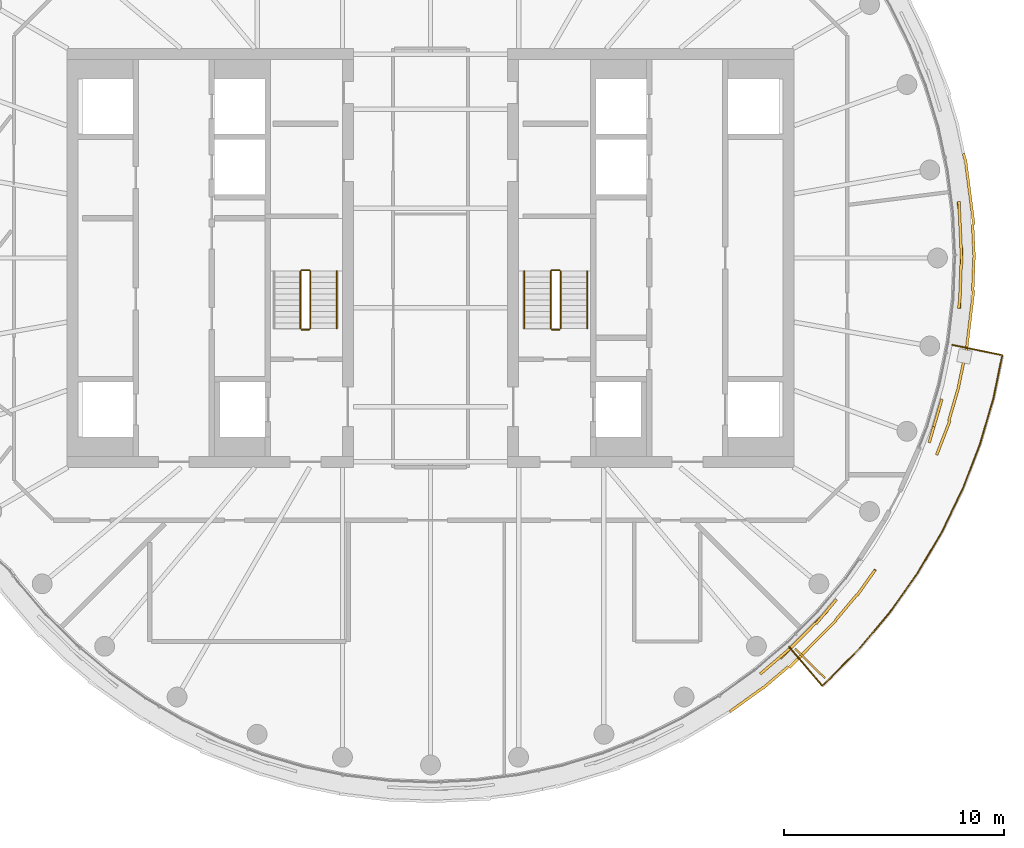
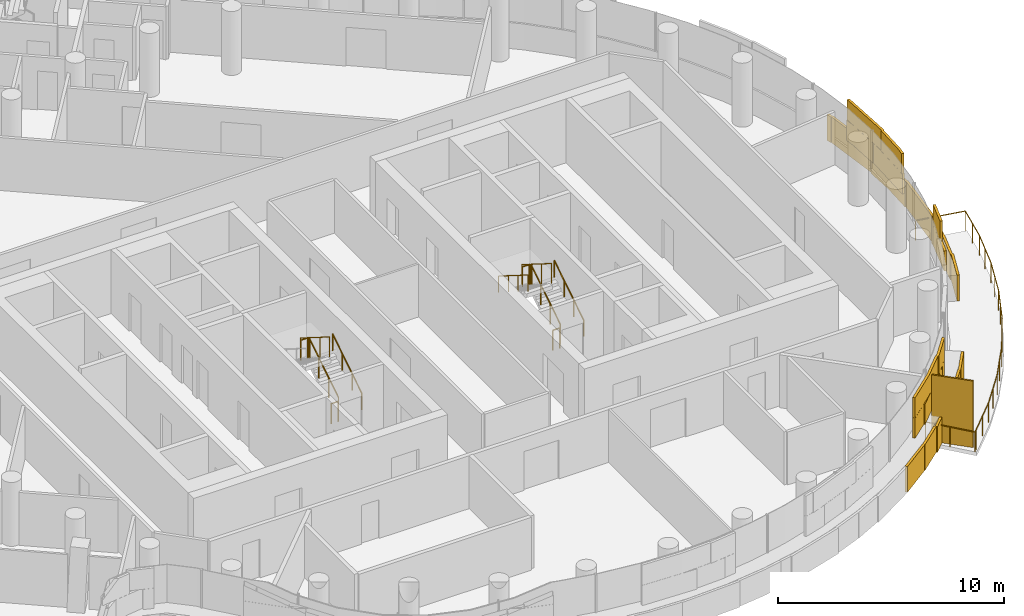
# One storey, part 23 of 26: 12 railings, 3 coverings, 1 shading device.
"""IFC4 building model written with IfcOpenShell, lengths in metres."""

from ifc_helpers import new_model, si_unit, direction, frame, origin, origin_2d, place, context, subcontext, project, spatial, rectangle, circle, extrude, material, layer, layer_set, type_object, element, save


model = new_model("IFC4")

# Units and contexts
model_context = context("Model", 3, precision=1e-05, world=origin(), true_north=direction((0.0, 1.0)))
body_context = subcontext(model_context, "Body", "Model", "MODEL_VIEW")
ifc_project = project(units=[si_unit("LENGTHUNIT", "METRE"), si_unit("AREAUNIT", "SQUARE_METRE"), si_unit("VOLUMEUNIT", "CUBIC_METRE"), si_unit("PLANEANGLEUNIT", "RADIAN"), si_unit("MASSUNIT", "GRAM", prefix="KILO")], contexts=[model_context])

# Site, building, storey
site_placement = place(None, origin())
site = spatial("IfcSite", under=ifc_project, at=site_placement, CompositionType="ELEMENT")
building_placement = place(site_placement, origin())
building = spatial("IfcBuilding", under=site, at=building_placement, Name="Tamarind Cross Interchange Tower", CompositionType="ELEMENT")
storey_placement = place(building_placement, frame((0.0, 0.0, 223.5)))
storey = spatial("IfcBuildingStorey", under=building, at=storey_placement, Name="L56", CompositionType="ELEMENT", Elevation=223.5)

# Railing
ifc_material_1 = material(Name="Stainless steel and laminated glass", Category="steel")
railing_type_1 = type_object("IfcRailingType", Name="Balcony guard", PredefinedType="BALUSTRADE", material=ifc_material_1)
railing_1_placement = place(storey_placement, frame((16.260986328125, -17.641357421875, 0.0)))
element("IfcRailing", 1, at=railing_1_placement, inside=storey, type_object=railing_type_1, Name="Balcony guard 02", PredefinedType="BALUSTRADE", context=body_context, shape_type="SweptSolid", body=[
    extrude(circle(Radius=0.02490234375, at=origin_2d()), frame((0.0, 0.0, 1.0751953125), z_axis=(0.649585978216, -0.760288140711, 0.0), x_axis=(0.760288140711, 0.649585978216, 0.0)), (0.0, 0.0, 1.0), 2.320068359375),
    extrude(circle(Radius=0.02490234375, at=origin_2d()), frame((1.507080078125, -1.763916015625, 1.0751953125), z_axis=(0.760100171887, 0.649805916176, 0.0), x_axis=(-0.649805916176, 0.760100171887, 0.0)), (0.0, 0.0, 1.0), 0.183837890625),
    extrude(circle(Radius=0.02490234375, at=origin_2d()), frame((1.646728515625, -1.64453125, 1.0751953125), z_axis=(0.704069857635, 0.710130717242, 0.0), x_axis=(-0.710130717242, 0.704069857635, 0.0)), (0.0, 0.0, 1.0), 2.17529296875),
    extrude(circle(Radius=0.02490234375, at=origin_2d()), frame((3.17822265625, -0.099853515625, 1.0751953125), z_axis=(0.642984125922, 0.765879503455, 0.0), x_axis=(-0.765879503455, 0.642984125922, 0.0)), (0.0, 0.0, 1.0), 2.17529296875),
    extrude(circle(Radius=0.02490234375, at=origin_2d()), frame((4.576904296875, 1.566162109375, 1.0751953125), z_axis=(0.577590617379, 0.81632657602, 0.0), x_axis=(-0.81632657602, 0.577590617379, 0.0)), (0.0, 0.0, 1.0), 2.175048828125),
    extrude(circle(Radius=0.02490234375, at=origin_2d()), frame((5.833251953125, 3.341796875, 1.0751953125), z_axis=(0.508226290333, 0.861223570169, 0.0), x_axis=(-0.861223570169, 0.508226290333, 0.0)), (0.0, 0.0, 1.0), 2.175048828125),
    extrude(circle(Radius=0.02490234375, at=origin_2d()), frame((6.938720703125, 5.215087890625, 1.0751953125), z_axis=(0.435276325285, 0.90029690694, 0.0), x_axis=(-0.90029690694, 0.435276325285, 0.0)), (0.0, 0.0, 1.0), 2.175048828125),
    extrude(circle(Radius=0.02490234375, at=origin_2d()), frame((7.885498046875, 7.17333984375, 1.0751953125), z_axis=(0.359497979449, 0.93314586361, 0.0), x_axis=(-0.93314586361, 0.359497979449, 0.0)), (0.0, 0.0, 1.0), 2.17529296875),
    extrude(circle(Radius=0.02490234375, at=origin_2d()), frame((8.66748046875, 9.203125, 1.0751953125), z_axis=(0.281266871208, 0.959629588519, 0.0), x_axis=(-0.959629588519, 0.281266871208, 0.0)), (0.0, 0.0, 1.0), 2.17529296875),
    extrude(circle(Radius=0.02490234375, at=origin_2d()), frame((9.279296875, 11.29052734375, 1.0751953125), z_axis=(0.200992629357, 0.97959275362, 0.0), x_axis=(-0.97959275362, 0.200992629357, 0.0)), (0.0, 0.0, 1.0), 1.982421875),
    extrude(circle(Radius=0.02490234375, at=origin_2d()), frame((9.677734375, 13.232421875, 1.0751953125), z_axis=(-0.979572415574, 0.201091726948, 0.0), x_axis=(-0.201091726948, -0.979572415574, 0.0)), (0.0, 0.0, 1.0), 2.320068359375),
    extrude(circle(Radius=0.02001953125, at=origin_2d()), origin(), (0.0, 0.0, 1.0), 1.050048828125),
    extrude(circle(Radius=0.02001953125, at=origin_2d()), frame((0.75341796875, -0.8818359375, 0.0)), (0.0, 0.0, 1.0), 1.050048828125),
    extrude(circle(Radius=0.02001953125, at=origin_2d()), frame((1.507080078125, -1.763916015625, 0.0)), (0.0, 0.0, 1.0), 1.050048828125),
    extrude(circle(Radius=0.02001953125, at=origin_2d()), frame((1.646728515625, -1.64453125, 0.0)), (0.0, 0.0, 1.0), 1.050048828125),
    extrude(circle(Radius=0.02001953125, at=origin_2d()), frame((2.41259765625, -0.8720703125, 0.0)), (0.0, 0.0, 1.0), 1.050048828125),
    extrude(circle(Radius=0.02001953125, at=origin_2d()), frame((3.17822265625, -0.099853515625, 0.0)), (0.0, 0.0, 1.0), 1.050048828125),
    extrude(circle(Radius=0.02001953125, at=origin_2d()), frame((3.87744140625, 0.733154296875, 0.0)), (0.0, 0.0, 1.0), 1.050048828125),
    extrude(circle(Radius=0.02001953125, at=origin_2d()), frame((4.576904296875, 1.566162109375, 0.0)), (0.0, 0.0, 1.0), 1.050048828125),
    extrude(circle(Radius=0.02001953125, at=origin_2d()), frame((5.205078125, 2.4541015625, 0.0)), (0.0, 0.0, 1.0), 1.050048828125),
    extrude(circle(Radius=0.02001953125, at=origin_2d()), frame((5.833251953125, 3.341796875, 0.0)), (0.0, 0.0, 1.0), 1.050048828125),
    extrude(circle(Radius=0.02001953125, at=origin_2d()), frame((6.385986328125, 4.2783203125, 0.0)), (0.0, 0.0, 1.0), 1.050048828125),
    extrude(circle(Radius=0.02001953125, at=origin_2d()), frame((6.938720703125, 5.215087890625, 0.0)), (0.0, 0.0, 1.0), 1.050048828125),
    extrude(circle(Radius=0.02001953125, at=origin_2d()), frame((7.412109375, 6.1943359375, 0.0)), (0.0, 0.0, 1.0), 1.050048828125),
    extrude(circle(Radius=0.02001953125, at=origin_2d()), frame((7.885498046875, 7.17333984375, 0.0)), (0.0, 0.0, 1.0), 1.050048828125),
    extrude(circle(Radius=0.02001953125, at=origin_2d()), frame((8.2763671875, 8.188232421875, 0.0)), (0.0, 0.0, 1.0), 1.050048828125),
    extrude(circle(Radius=0.02001953125, at=origin_2d()), frame((8.66748046875, 9.203125, 0.0)), (0.0, 0.0, 1.0), 1.050048828125),
    extrude(circle(Radius=0.02001953125, at=origin_2d()), frame((8.973388671875, 10.246826171875, 0.0)), (0.0, 0.0, 1.0), 1.050048828125),
    extrude(circle(Radius=0.02001953125, at=origin_2d()), frame((9.279296875, 11.29052734375, 0.0)), (0.0, 0.0, 1.0), 1.050048828125),
    extrude(circle(Radius=0.02001953125, at=origin_2d()), frame((9.478515625, 12.261474609375, 0.0)), (0.0, 0.0, 1.0), 1.050048828125),
    extrude(circle(Radius=0.02001953125, at=origin_2d()), frame((9.677734375, 13.232421875, 0.0)), (0.0, 0.0, 1.0), 1.050048828125),
    extrude(circle(Radius=0.02001953125, at=origin_2d()), frame((8.54150390625, 13.4658203125, 0.0)), (0.0, 0.0, 1.0), 1.050048828125),
    extrude(circle(Radius=0.02001953125, at=origin_2d()), frame((7.405029296875, 13.698974609375, 0.0)), (0.0, 0.0, 1.0), 1.050048828125),
])

# Shading device
ifc_material_2 = material(Name="Bronze-finish aluminium louvre", Category="aluminium")
ifc_layer_1 = layer(ifc_material_2, 0.080078125)
ifc_layer_set_1 = layer_set([ifc_layer_1], Name="Bronze-finish aluminium louvre")
shading_device_type = type_object("IfcShadingDeviceType", Name="Operable louvre bay", PredefinedType="JALOUSIE", material=ifc_layer_set_1)
shading_device_placement = place(storey_placement, origin())
element("IfcShadingDevice", 2, at=shading_device_placement, inside=storey, type_object=shading_device_type, Name="LVR-L56-BAL02", PredefinedType="JALOUSIE", context=body_context, shape_type="SweptSolid", body=[
    extrude(rectangle(XDim=1.89990234375, YDim=0.080078125, at=origin_2d()), frame((17.216796875, -18.39208984375, 0.0), z_axis=(0.0, 0.0, 1.0), x_axis=(0.710143317658, -0.704057148523, 0.0)), (0.0, 0.0, 1.0), 3.60009765625),
])

# Railings
ifc_material_3 = material(Name="Stair guard")
railing_type_2 = type_object("IfcRailingType", Name="Stair guard", PredefinedType="GUARDRAIL", material=ifc_material_3)
railing_2_placement = place(storey_placement, frame((-5.449951171875, -3.199951171875, 0.16357421875)))
element("IfcRailing", 3, at=railing_2_placement, inside=storey, type_object=railing_type_2, Name="L56 ST1 stair guard 1", PredefinedType="GUARDRAIL", context=body_context, shape_type="SweptSolid", body=[
    extrude(circle(Radius=0.02392578125, at=origin_2d()), frame((0.0, 0.0, 1.076171875), z_axis=(0.0, 0.846301844409, 0.532703658848), x_axis=(-1.0, 0.0, 0.0)), (0.0, 0.0, 1.0), 3.072021484375),
    extrude(circle(Radius=0.02099609375, at=origin_2d()), origin(), (0.0, 0.0, 1.0), 1.052001953125),
    extrude(circle(Radius=0.02099609375, at=origin_2d()), frame((0.0, 0.86669921875, 0.54541015625)), (0.0, 0.0, 1.0), 1.052001953125),
    extrude(circle(Radius=0.02099609375, at=origin_2d()), frame((0.0, 1.733154296875, 1.091064453125)), (0.0, 0.0, 1.0), 1.052001953125),
    extrude(circle(Radius=0.02099609375, at=origin_2d()), frame((0.0, 2.599853515625, 1.636474609375)), (0.0, 0.0, 1.0), 1.052001953125),
])
railing_3_placement = place(storey_placement, frame((-5.5, -0.550048828125, 1.800048828125)))
element("IfcRailing", 4, at=railing_3_placement, inside=storey, type_object=railing_type_2, Name="L56 ST1 stair guard 2", PredefinedType="GUARDRAIL", context=body_context, shape_type="SweptSolid", body=[
    extrude(circle(Radius=0.02392578125, at=origin_2d()), frame((0.0, 0.0, 1.076171875), z_axis=(-1.0, 0.0, 0.0), x_axis=(0.0, -1.0, 0.0)), (0.0, 0.0, 1.0), 0.35009765625),
    extrude(circle(Radius=0.02099609375, at=origin_2d()), origin(), (0.0, 0.0, 1.0), 1.052001953125),
    extrude(circle(Radius=0.02099609375, at=origin_2d()), frame((-0.35009765625, 0.0, 0.0)), (0.0, 0.0, 1.0), 1.052001953125),
])
railing_4_placement = place(storey_placement, frame((-5.89990234375, -0.60009765625, 1.963623046875)))
element("IfcRailing", 5, at=railing_4_placement, inside=storey, type_object=railing_type_2, Name="L56 ST1 stair guard 3", PredefinedType="GUARDRAIL", context=body_context, shape_type="SweptSolid", body=[
    extrude(circle(Radius=0.02392578125, at=origin_2d()), frame((0.0, 0.0, 1.076171875), z_axis=(0.0, -0.846301844409, 0.532703658848), x_axis=(1.0, 0.0, 0.0)), (0.0, 0.0, 1.0), 3.072021484375),
    extrude(circle(Radius=0.02099609375, at=origin_2d()), origin(), (0.0, 0.0, 1.0), 1.052001953125),
    extrude(circle(Radius=0.02099609375, at=origin_2d()), frame((0.0, -0.86669921875, 0.54541015625)), (0.0, 0.0, 1.0), 1.052001953125),
    extrude(circle(Radius=0.02099609375, at=origin_2d()), frame((0.0, -1.733154296875, 1.091064453125)), (0.0, 0.0, 1.0), 1.052001953125),
    extrude(circle(Radius=0.02099609375, at=origin_2d()), frame((0.0, -2.599853515625, 1.636474609375)), (0.0, 0.0, 1.0), 1.052001953125),
])
railing_5_placement = place(storey_placement, frame((-5.5, -3.25, 0.0)))
element("IfcRailing", 6, at=railing_5_placement, inside=storey, type_object=railing_type_2, Name="L56 ST1 stair guard 4", PredefinedType="GUARDRAIL", context=body_context, shape_type="SweptSolid", body=[
    extrude(circle(Radius=0.02392578125, at=origin_2d()), frame((0.0, 0.0, 1.076171875), z_axis=(-1.0, 0.0, 0.0), x_axis=(0.0, -1.0, 0.0)), (0.0, 0.0, 1.0), 0.35009765625),
    extrude(circle(Radius=0.02099609375, at=origin_2d()), origin(), (0.0, 0.0, 1.0), 1.052001953125),
    extrude(circle(Radius=0.02099609375, at=origin_2d()), frame((-0.35009765625, 0.0, 0.0)), (0.0, 0.0, 1.0), 1.052001953125),
])
railing_6_placement = place(storey_placement, frame((5.89990234375, -3.199951171875, 0.16357421875)))
element("IfcRailing", 7, at=railing_6_placement, inside=storey, type_object=railing_type_2, Name="L56 ST2 stair guard 1", PredefinedType="GUARDRAIL", context=body_context, shape_type="SweptSolid", body=[
    extrude(circle(Radius=0.02392578125, at=origin_2d()), frame((0.0, 0.0, 1.076171875), z_axis=(0.0, 0.846301844409, 0.532703658848), x_axis=(-1.0, 0.0, 0.0)), (0.0, 0.0, 1.0), 3.072021484375),
    extrude(circle(Radius=0.02099609375, at=origin_2d()), origin(), (0.0, 0.0, 1.0), 1.052001953125),
    extrude(circle(Radius=0.02099609375, at=origin_2d()), frame((0.0, 0.86669921875, 0.54541015625)), (0.0, 0.0, 1.0), 1.052001953125),
    extrude(circle(Radius=0.02099609375, at=origin_2d()), frame((0.0, 1.733154296875, 1.091064453125)), (0.0, 0.0, 1.0), 1.052001953125),
    extrude(circle(Radius=0.02099609375, at=origin_2d()), frame((0.0, 2.599853515625, 1.636474609375)), (0.0, 0.0, 1.0), 1.052001953125),
])
railing_7_placement = place(storey_placement, frame((5.85009765625, -0.550048828125, 1.800048828125)))
element("IfcRailing", 8, at=railing_7_placement, inside=storey, type_object=railing_type_2, Name="L56 ST2 stair guard 2", PredefinedType="GUARDRAIL", context=body_context, shape_type="SweptSolid", body=[
    extrude(circle(Radius=0.02392578125, at=origin_2d()), frame((0.0, 0.0, 1.076171875), z_axis=(-1.0, 0.0, 0.0), x_axis=(0.0, -1.0, 0.0)), (0.0, 0.0, 1.0), 0.35009765625),
    extrude(circle(Radius=0.02099609375, at=origin_2d()), origin(), (0.0, 0.0, 1.0), 1.052001953125),
    extrude(circle(Radius=0.02099609375, at=origin_2d()), frame((-0.35009765625, 0.0, 0.0)), (0.0, 0.0, 1.0), 1.052001953125),
])
railing_8_placement = place(storey_placement, frame((5.449951171875, -0.60009765625, 1.963623046875)))
element("IfcRailing", 9, at=railing_8_placement, inside=storey, type_object=railing_type_2, Name="L56 ST2 stair guard 3", PredefinedType="GUARDRAIL", context=body_context, shape_type="SweptSolid", body=[
    extrude(circle(Radius=0.02392578125, at=origin_2d()), frame((0.0, 0.0, 1.076171875), z_axis=(0.0, -0.846301844409, 0.532703658848), x_axis=(1.0, 0.0, 0.0)), (0.0, 0.0, 1.0), 3.072021484375),
    extrude(circle(Radius=0.02099609375, at=origin_2d()), origin(), (0.0, 0.0, 1.0), 1.052001953125),
    extrude(circle(Radius=0.02099609375, at=origin_2d()), frame((0.0, -0.86669921875, 0.54541015625)), (0.0, 0.0, 1.0), 1.052001953125),
    extrude(circle(Radius=0.02099609375, at=origin_2d()), frame((0.0, -1.733154296875, 1.091064453125)), (0.0, 0.0, 1.0), 1.052001953125),
    extrude(circle(Radius=0.02099609375, at=origin_2d()), frame((0.0, -2.599853515625, 1.636474609375)), (0.0, 0.0, 1.0), 1.052001953125),
])
railing_9_placement = place(storey_placement, frame((5.85009765625, -3.25, 0.0)))
element("IfcRailing", 10, at=railing_9_placement, inside=storey, type_object=railing_type_2, Name="L56 ST2 stair guard 4", PredefinedType="GUARDRAIL", context=body_context, shape_type="SweptSolid", body=[
    extrude(circle(Radius=0.02392578125, at=origin_2d()), frame((0.0, 0.0, 1.076171875), z_axis=(-1.0, 0.0, 0.0), x_axis=(0.0, -1.0, 0.0)), (0.0, 0.0, 1.0), 0.35009765625),
    extrude(circle(Radius=0.02099609375, at=origin_2d()), origin(), (0.0, 0.0, 1.0), 1.052001953125),
    extrude(circle(Radius=0.02099609375, at=origin_2d()), frame((-0.35009765625, 0.0, 0.0)), (0.0, 0.0, 1.0), 1.052001953125),
])
ifc_material_4 = material(Name="Stair handrail")
railing_type_3 = type_object("IfcRailingType", Name="Stair handrail", PredefinedType="HANDRAIL", material=ifc_material_4)
for number, where, name in (
    (11, (-4.25, -3.199951171875, 0.16357421875), "L56 ST1 stair handrail 1"),
    (12, (7.10009765625, -3.199951171875, 0.16357421875), "L56 ST2 stair handrail 1"),
):
    element("IfcRailing", number, at=place(storey_placement, frame(where)), inside=storey, type_object=railing_type_3, Name=name, PredefinedType="HANDRAIL", context=body_context, shape_type="SweptSolid", body=[
        extrude(circle(Radius=0.02392578125, at=origin_2d()), frame((0.0, 0.0, 0.8759765625), z_axis=(0.0, 0.846301844409, 0.532703658848), x_axis=(-1.0, 0.0, 0.0)), (0.0, 0.0, 1.0), 3.072021484375),
        extrude(circle(Radius=0.02099609375, at=origin_2d()), origin(), (0.0, 0.0, 1.0), 0.851806640625),
        extrude(circle(Radius=0.02099609375, at=origin_2d()), frame((0.0, 0.86669921875, 0.54541015625)), (0.0, 0.0, 1.0), 0.851806640625),
        extrude(circle(Radius=0.02099609375, at=origin_2d()), frame((0.0, 1.733154296875, 1.091064453125)), (0.0, 0.0, 1.0), 0.851806640625),
        extrude(circle(Radius=0.02099609375, at=origin_2d()), frame((0.0, 2.599853515625, 1.636474609375)), (0.0, 0.0, 1.0), 0.851806640625),
    ])
railing_10_placement = place(storey_placement, frame((4.25, -0.60009765625, 1.963623046875)))
element("IfcRailing", 13, at=railing_10_placement, inside=storey, type_object=railing_type_3, Name="L56 ST2 stair handrail 2", PredefinedType="HANDRAIL", context=body_context, shape_type="SweptSolid", body=[
    extrude(circle(Radius=0.02392578125, at=origin_2d()), frame((0.0, 0.0, 0.8759765625), z_axis=(0.0, -0.846301844409, 0.532703658848), x_axis=(1.0, 0.0, 0.0)), (0.0, 0.0, 1.0), 3.072021484375),
    extrude(circle(Radius=0.02099609375, at=origin_2d()), origin(), (0.0, 0.0, 1.0), 0.851806640625),
    extrude(circle(Radius=0.02099609375, at=origin_2d()), frame((0.0, -0.86669921875, 0.54541015625)), (0.0, 0.0, 1.0), 0.851806640625),
    extrude(circle(Radius=0.02099609375, at=origin_2d()), frame((0.0, -1.733154296875, 1.091064453125)), (0.0, 0.0, 1.0), 0.851806640625),
    extrude(circle(Radius=0.02099609375, at=origin_2d()), frame((0.0, -2.599853515625, 1.636474609375)), (0.0, 0.0, 1.0), 0.851806640625),
])

# Coverings
ifc_material_5 = material(Name="Terracotta", Category="masonry")
ifc_layer_2 = layer(ifc_material_5, 0.1201171875)
ifc_layer_set_2 = layer_set([ifc_layer_2], Name="Terracotta")
covering_type = type_object("IfcCoveringType", Name="Terracotta baguette screen unit", PredefinedType="MOLDING", material=ifc_layer_set_2)
covering_1_placement = place(storey_placement, origin())
element("IfcCovering", 14, at=covering_1_placement, inside=storey, type_object=covering_type, Name="SCR-L56-02-04", PredefinedType="MOLDING", context=body_context, shape_type="SweptSolid", body=[
    extrude(rectangle(XDim=1.16015625, YDim=0.1201171875, at=origin_2d()), frame((15.397216796875, -18.497802734375, 1.40380859375), z_axis=(0.0, 0.0, 1.0), x_axis=(0.760295606781, 0.64957723968, 0.0)), (0.0, 0.0, 1.0), 1.092041015625),
    extrude(rectangle(XDim=1.52001953125, YDim=0.1201171875, at=origin_2d()), frame((16.403564453125, -17.635986328125, 1.40380859375), z_axis=(0.0, 0.0, 1.0), x_axis=(0.704057148523, 0.710143317658, 0.0)), (0.0, 0.0, 1.0), 1.092041015625),
    extrude(rectangle(XDim=1.52001953125, YDim=0.1201171875, at=origin_2d()), frame((17.45947265625, -16.570556640625, 1.40380859375), z_axis=(0.0, 0.0, 1.0), x_axis=(0.704057148523, 0.710143317658, 0.0)), (0.0, 0.0, 1.0), 1.092041015625),
    extrude(rectangle(XDim=0.702880859375, YDim=0.1201171875, at=origin_2d()), frame((18.193359375, -15.757080078125, 1.40380859375), z_axis=(0.0, 0.0, 1.0), x_axis=(0.643009266048, 0.765858396687, 0.0)), (0.0, 0.0, 1.0), 1.092041015625),
    extrude(rectangle(XDim=0.41015625, YDim=0.1201171875, at=origin_2d()), frame((15.112060546875, -18.741455078125, 2.50390625), z_axis=(0.0, 0.0, 1.0), x_axis=(0.760295606781, 0.64957723968, 0.0)), (0.0, 0.0, 1.0), 1.092041015625),
    extrude(rectangle(XDim=1.52001953125, YDim=0.1201171875, at=origin_2d()), frame((15.83447265625, -18.124267578125, 2.50390625), z_axis=(0.0, 0.0, 1.0), x_axis=(0.760295606781, 0.64957723968, 0.0)), (0.0, 0.0, 1.0), 1.092041015625),
    extrude(rectangle(XDim=1.52001953125, YDim=0.1201171875, at=origin_2d()), frame((16.931396484375, -17.103271484375, 2.50390625), z_axis=(0.0, 0.0, 1.0), x_axis=(0.704057148523, 0.710143317658, 0.0)), (0.0, 0.0, 1.0), 1.092041015625),
    extrude(rectangle(XDim=1.452880859375, YDim=0.1201171875, at=origin_2d()), frame((17.9521484375, -16.044189453125, 2.50390625), z_axis=(0.0, 0.0, 1.0), x_axis=(0.643009266048, 0.765858396687, 0.0)), (0.0, 0.0, 1.0), 1.092041015625),
    extrude(rectangle(XDim=0.37451171875, YDim=0.1201171875, at=origin_2d()), frame((13.72998046875, -20.476318359375, 0.00390625), z_axis=(0.0, 0.0, 1.0), x_axis=(0.811340475102, 0.584573890505, 0.0)), (0.0, 0.0, 1.0), 1.39208984375),
    extrude(rectangle(XDim=1.52001953125, YDim=0.1201171875, at=origin_2d()), frame((14.482177734375, -19.934326171875, 0.00390625), z_axis=(0.0, 0.0, 1.0), x_axis=(0.811340475102, 0.584573890505, 0.0)), (0.0, 0.0, 1.0), 1.39208984375),
    extrude(rectangle(XDim=1.52001953125, YDim=0.1201171875, at=origin_2d()), frame((15.669677734375, -19.019775390625, 0.00390625), z_axis=(0.0, 0.0, 1.0), x_axis=(0.760295606781, 0.64957723968, 0.0)), (0.0, 0.0, 1.0), 1.39208984375),
    extrude(rectangle(XDim=1.52001953125, YDim=0.1201171875, at=origin_2d()), frame((16.80810546875, -18.043212890625, 0.00390625), z_axis=(0.0, 0.0, 1.0), x_axis=(0.704057148523, 0.710143317658, 0.0)), (0.0, 0.0, 1.0), 1.39208984375),
    extrude(rectangle(XDim=1.52001953125, YDim=0.1201171875, at=origin_2d()), frame((17.864013671875, -16.977783203125, 0.00390625), z_axis=(0.0, 0.0, 1.0), x_axis=(0.704057148523, 0.710143317658, 0.0)), (0.0, 0.0, 1.0), 1.39208984375),
    extrude(rectangle(XDim=1.52001953125, YDim=0.1201171875, at=origin_2d()), frame((18.859130859375, -15.85693359375, 0.00390625), z_axis=(0.0, 0.0, 1.0), x_axis=(0.643009266048, 0.765858396687, 0.0)), (0.0, 0.0, 1.0), 1.39208984375),
    extrude(rectangle(XDim=1.404296875, YDim=0.1201171875, at=origin_2d()), frame((19.759765625, -14.73193359375, 0.00390625), z_axis=(0.0, 0.0, 1.0), x_axis=(0.577568978284, 0.816341886298, 0.0)), (0.0, 0.0, 1.0), 1.39208984375),
])
covering_2_placement = place(storey_placement, origin())
element("IfcCovering", 15, at=covering_2_placement, inside=storey, type_object=covering_type, Name="SCR-L56-02-05", PredefinedType="MOLDING", context=body_context, shape_type="SweptSolid", body=[
    extrude(rectangle(XDim=1.52001953125, YDim=0.1201171875, at=origin_2d()), frame((22.8359375, -7.649658203125, 1.40380859375), z_axis=(0.0, 0.0, 1.0), x_axis=(0.281208920763, 0.95964657186, 0.0)), (0.0, 0.0, 1.0), 1.092041015625),
    extrude(rectangle(XDim=0.55517578125, YDim=0.1201171875, at=origin_2d()), frame((23.123291015625, -6.668212890625, 1.40380859375), z_axis=(0.0, 0.0, 1.0), x_axis=(0.281208920763, 0.95964657186, 0.0)), (0.0, 0.0, 1.0), 1.092041015625),
    extrude(rectangle(XDim=1.30517578125, YDim=0.1201171875, at=origin_2d()), frame((23.017822265625, -7.028076171875, 2.50390625), z_axis=(0.0, 0.0, 1.0), x_axis=(0.281208920763, 0.95964657186, 0.0)), (0.0, 0.0, 1.0), 1.092041015625),
    extrude(rectangle(XDim=0.03076171875, YDim=0.1201171875, at=origin_2d()), frame((20.17431640625, -14.14599609375, 0.00390625), z_axis=(0.0, 0.0, 1.0), x_axis=(0.577568978284, 0.816341886298, 0.0)), (0.0, 0.0, 1.0), 1.39208984375),
    extrude(rectangle(XDim=0.1767578125, YDim=0.1201171875, at=origin_2d()), frame((22.99267578125, -8.856689453125, 0.00390625), z_axis=(0.0, 0.0, 1.0), x_axis=(0.359495435512, 0.933146843667, 0.0)), (0.0, 0.0, 1.0), 1.39208984375),
    extrude(rectangle(XDim=1.52001953125, YDim=0.1201171875, at=origin_2d()), frame((23.29052734375, -8.08349609375, 0.00390625), z_axis=(0.0, 0.0, 1.0), x_axis=(0.359495435512, 0.933146843667, 0.0)), (0.0, 0.0, 1.0), 1.39208984375),
    extrude(rectangle(XDim=1.52001953125, YDim=0.1201171875, at=origin_2d()), frame((23.72705078125, -6.649169921875, 0.00390625), z_axis=(0.0, 0.0, 1.0), x_axis=(0.281208920763, 0.95964657186, 0.0)), (0.0, 0.0, 1.0), 1.39208984375),
    extrude(rectangle(XDim=1.50341796875, YDim=0.1201171875, at=origin_2d()), frame((24.08544921875, -5.202392578125, 0.00390625), z_axis=(0.0, 0.0, 1.0), x_axis=(0.201001463943, 0.9795909409, 0.0)), (0.0, 0.0, 1.0), 1.39208984375),
])
covering_3_placement = place(storey_placement, origin())
element("IfcCovering", 16, at=covering_3_placement, inside=storey, type_object=covering_type, Name="SCR-L56-02-06", PredefinedType="MOLDING", context=body_context, shape_type="SweptSolid", body=[
    extrude(rectangle(XDim=1.264892578125, YDim=0.1201171875, at=origin_2d()), frame((24.0205078125, -1.6591796875, 1.40380859375), z_axis=(0.0, 0.0, 1.0), x_axis=(0.037024696392, 0.999314350871, 0.0)), (0.0, 0.0, 1.0), 1.092041015625),
    extrude(rectangle(XDim=1.52001953125, YDim=0.1201171875, at=origin_2d()), frame((24.071533203125, -0.282958984375, 1.40380859375), z_axis=(0.0, 0.0, 1.0), x_axis=(0.037024696392, 0.999314350871, 0.0)), (0.0, 0.0, 1.0), 1.092041015625),
    extrude(rectangle(XDim=1.52001953125, YDim=0.1201171875, at=origin_2d()), frame((24.034912109375, 1.2158203125, 1.40380859375), z_axis=(0.0, 0.0, 1.0), x_axis=(-0.045624486728, 0.998958660912, 0.0)), (0.0, 0.0, 1.0), 1.092041015625),
    extrude(rectangle(XDim=0.597900390625, YDim=0.1201171875, at=origin_2d()), frame((23.9736328125, 2.25732421875, 1.40380859375), z_axis=(0.0, 0.0, 1.0), x_axis=(-0.127962008342, 0.991779070368, 0.0)), (0.0, 0.0, 1.0), 1.092041015625),
    extrude(rectangle(XDim=0.514892578125, YDim=0.1201171875, at=origin_2d()), frame((23.994384765625, -2.032958984375, 2.50390625), z_axis=(0.0, 0.0, 1.0), x_axis=(0.119420963295, 0.992843710523, 0.0)), (0.0, 0.0, 1.0), 1.092041015625),
    extrude(rectangle(XDim=1.52001953125, YDim=0.1201171875, at=origin_2d()), frame((24.043701171875, -1.0322265625, 2.50390625), z_axis=(0.0, 0.0, 1.0), x_axis=(0.037024696392, 0.999314350871, 0.0)), (0.0, 0.0, 1.0), 1.092041015625),
    extrude(rectangle(XDim=1.52001953125, YDim=0.1201171875, at=origin_2d()), frame((24.0693359375, 0.466552734375, 2.50390625), z_axis=(0.0, 0.0, 1.0), x_axis=(-0.045624486728, 0.998958660912, 0.0)), (0.0, 0.0, 1.0), 1.092041015625),
    extrude(rectangle(XDim=1.347900390625, YDim=0.1201171875, at=origin_2d()), frame((24.00439453125, 1.884033203125, 2.50390625), z_axis=(0.0, 0.0, 1.0), x_axis=(-0.045624486728, 0.998958660912, 0.0)), (0.0, 0.0, 1.0), 1.092041015625),
    extrude(rectangle(XDim=1.52001953125, YDim=0.1201171875, at=origin_2d()), frame((24.369384765625, -3.7216796875, 0.00390625), z_axis=(0.0, 0.0, 1.0), x_axis=(0.119420963295, 0.992843710523, 0.0)), (0.0, 0.0, 1.0), 1.39208984375),
    extrude(rectangle(XDim=1.52001953125, YDim=0.1201171875, at=origin_2d()), frame((24.548583984375, -2.232421875, 0.00390625), z_axis=(0.0, 0.0, 1.0), x_axis=(0.119420963295, 0.992843710523, 0.0)), (0.0, 0.0, 1.0), 1.39208984375),
    extrude(rectangle(XDim=1.52001953125, YDim=0.1201171875, at=origin_2d()), frame((24.629150390625, -0.735595703125, 0.00390625), z_axis=(0.0, 0.0, 1.0), x_axis=(0.037024696392, 0.999314350871, 0.0)), (0.0, 0.0, 1.0), 1.39208984375),
    extrude(rectangle(XDim=1.52001953125, YDim=0.1201171875, at=origin_2d()), frame((24.63037109375, 0.76318359375, 0.00390625), z_axis=(0.0, 0.0, 1.0), x_axis=(-0.045624486728, 0.998958660912, 0.0)), (0.0, 0.0, 1.0), 1.39208984375),
    extrude(rectangle(XDim=1.52001953125, YDim=0.1201171875, at=origin_2d()), frame((24.552001953125, 2.2607421875, 0.00390625), z_axis=(0.0, 0.0, 1.0), x_axis=(-0.127962008342, 0.991779070368, 0.0)), (0.0, 0.0, 1.0), 1.39208984375),
    extrude(rectangle(XDim=1.52001953125, YDim=0.1201171875, at=origin_2d()), frame((24.360107421875, 3.74853515625, 0.00390625), z_axis=(0.0, 0.0, 1.0), x_axis=(-0.127962008342, 0.991779070368, 0.0)), (0.0, 0.0, 1.0), 1.39208984375),
    extrude(rectangle(XDim=0.26171875, YDim=0.1201171875, at=origin_2d()), frame((24.211669921875, 4.60595703125, 0.00390625), z_axis=(0.0, 0.0, 1.0), x_axis=(-0.209425419705, 0.977824623121, 0.0)), (0.0, 0.0, 1.0), 1.39208984375),
])

save(model, "model.ifc")
